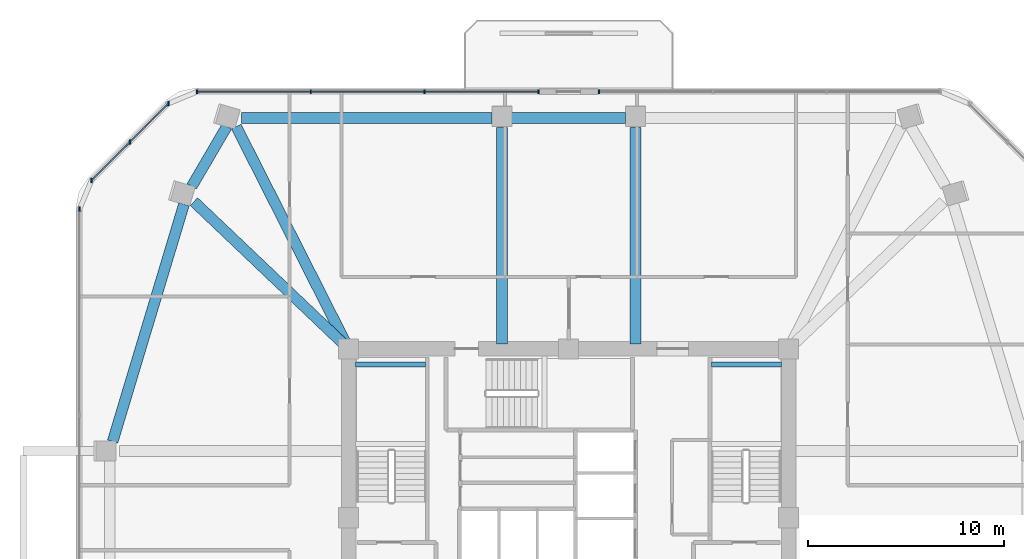
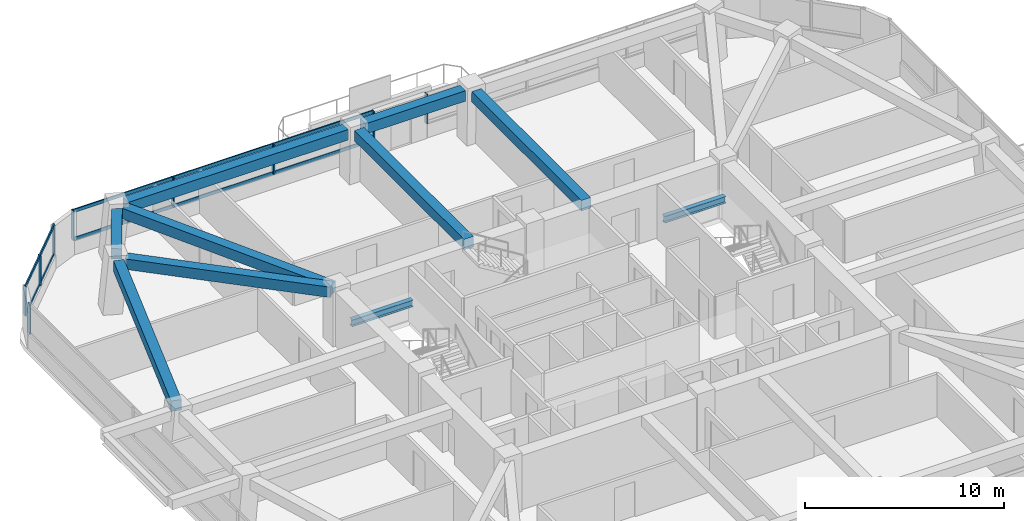
# One storey, part 6 of 13: 13 members, 10 beams, 4 elements without a shape of their own.
"""IFC4 building model written with IfcOpenShell, lengths in metres."""

from ifc_helpers import new_model, si_unit, derived_unit, direction, frame, origin, origin_2d, place, context, subcontext, project, spatial, rectangle, i_section, extrude, material, material_profile, profile_set, type_object, element, aggregate, save


model = new_model("IFC4")

# Units and contexts
model_context = context("Model", 3, precision=1e-05, world=origin(), true_north=direction((0.0, 1.0)))
body_context = subcontext(model_context, "Body", "Model", "MODEL_VIEW")
ifc_project = project(units=[si_unit("LENGTHUNIT", "METRE"), si_unit("AREAUNIT", "SQUARE_METRE"), si_unit("VOLUMEUNIT", "CUBIC_METRE"), si_unit("PLANEANGLEUNIT", "RADIAN"), si_unit("MASSUNIT", "GRAM", prefix="KILO"), derived_unit("THERMALTRANSMITTANCEUNIT", [(si_unit("POWERUNIT", "WATT"), 1), (si_unit("LENGTHUNIT", "METRE"), -2), (si_unit("THERMODYNAMICTEMPERATUREUNIT", "KELVIN"), -1)])], contexts=[model_context])

# Site, building, storey
site_placement = place(None, origin())
site = spatial("IfcSite", under=ifc_project, at=site_placement, CompositionType="ELEMENT")
building_placement = place(site_placement, origin())
building = spatial("IfcBuilding", under=site, at=building_placement, Name="Koralith Skygarden Medical Center", CompositionType="ELEMENT")
storey_placement = place(building_placement, frame((0.0, 0.0, 109.97998046875)))
storey = spatial("IfcBuildingStorey", under=building, at=storey_placement, Name="L28", CompositionType="ELEMENT", Elevation=109.97998046875)

# Curtain wall, member
ifc_material_1 = material(Name="Clear Laminated Glass", Category="glass")
curtain_wall_type = type_object("IfcCurtainWallType", Name="CW-3 Zone 2 Faceted Solar Curtain Wall", PredefinedType="NOTDEFINED", material=ifc_material_1)
curtain_wall_1_placement = place(storey_placement, origin())
curtain_wall_1 = element("IfcCurtainWall", 1, at=curtain_wall_1_placement, inside=storey, type_object=curtain_wall_type, Name="Curtain Wall CW-L28-N-L", PredefinedType="NOTDEFINED")
ifc_material_2 = material(Name="Aluminium 6063-T6", Category="aluminium")
ifc_material_profile_1 = material_profile(ifc_material_2, rectangle(XDim=0.073974609375, YDim=0.219970703125, at=origin_2d()), Name="MUL74X220")
ifc_profile_set_1 = profile_set([ifc_material_profile_1], Name="Aluminium 6063-T6")
member_type_1 = type_object("IfcMemberType", Name="CW-3 Extruded Mullion 74x220", PredefinedType="MULLION", material=ifc_profile_set_1)
member_1_placement = place(storey_placement, frame((38.541015625, 47.589111328125, 0.85009765625), z_axis=(0.0, 0.0, 1.0), x_axis=(1.0, 0.0, 0.0)))
member_1 = element("IfcMember", 2, at=member_1_placement, type_object=member_type_1, Name="CW-L28-N-L Mullion 4", PredefinedType="MULLION", context=body_context, shape_type="SweptSolid", body=[
    extrude(rectangle(XDim=0.073974609375, YDim=0.219970703125, at=origin_2d()), origin(), (0.0, 0.0, 1.0), 1.81982421875),
])
aggregate(curtain_wall_1, [member_1])

# Curtain wall, members
curtain_wall_2_placement = place(storey_placement, origin())
curtain_wall_2 = element("IfcCurtainWall", 3, at=curtain_wall_2_placement, inside=storey, type_object=curtain_wall_type, Name="Curtain Wall CW-L28-N-R", PredefinedType="NOTDEFINED")
member_2_placement = place(storey_placement, frame((35.4609375, 47.589111328125, 0.85009765625), z_axis=(0.0, 0.0, 1.0), x_axis=(1.0, 0.0, 0.0)))
member_2 = element("IfcMember", 4, at=member_2_placement, type_object=member_type_1, Name="CW-L28-N-R Mullion 1", PredefinedType="MULLION", context=body_context, shape_type="SweptSolid", body=[
    extrude(rectangle(XDim=0.073974609375, YDim=0.219970703125, at=origin_2d()), origin(), (0.0, 0.0, 1.0), 1.81982421875),
])
member_3_placement = place(storey_placement, frame((29.6640625, 47.589111328125, 0.85009765625), z_axis=(0.0, 0.0, 1.0), x_axis=(1.0, 0.0, 0.0)))
member_3 = element("IfcMember", 5, at=member_3_placement, type_object=member_type_1, Name="CW-L28-N-R Mullion 2", PredefinedType="MULLION", context=body_context, shape_type="SweptSolid", body=[
    extrude(rectangle(XDim=0.073974609375, YDim=0.219970703125, at=origin_2d()), origin(), (0.0, 0.0, 1.0), 1.81982421875),
])
member_4_placement = place(storey_placement, frame((23.865966796875, 47.589111328125, 0.85009765625), z_axis=(0.0, 0.0, 1.0), x_axis=(1.0, 0.0, 0.0)))
member_4 = element("IfcMember", 6, at=member_4_placement, type_object=member_type_1, Name="CW-L28-N-R Mullion 3", PredefinedType="MULLION", context=body_context, shape_type="SweptSolid", body=[
    extrude(rectangle(XDim=0.073974609375, YDim=0.219970703125, at=origin_2d()), origin(), (0.0, 0.0, 1.0), 1.81982421875),
])
member_5_placement = place(storey_placement, frame((18.069091796875, 47.589111328125, 0.85009765625), z_axis=(0.0, 0.0, 1.0), x_axis=(1.0, 0.0, 0.0)))
member_5 = element("IfcMember", 7, at=member_5_placement, type_object=member_type_1, Name="CW-L28-N-R Mullion 4", PredefinedType="MULLION", context=body_context, shape_type="SweptSolid", body=[
    extrude(rectangle(XDim=0.073974609375, YDim=0.219970703125, at=origin_2d()), origin(), (0.0, 0.0, 1.0), 1.81982421875),
])

curtain_wall_3_placement = place(storey_placement, origin())
curtain_wall_3 = element("IfcCurtainWall", 8, at=curtain_wall_3_placement, inside=storey, type_object=curtain_wall_type, Name="Curtain Wall CW-L28-NW", PredefinedType="NOTDEFINED")
member_6_placement = place(storey_placement, frame((16.617919921875, 46.988037109375, 0.85009765625), z_axis=(0.0, 0.0, 1.0), x_axis=(1.0, 0.0, 0.0)))
member_6 = element("IfcMember", 9, at=member_6_placement, type_object=member_type_1, Name="CW-L28-NW Mullion 1", PredefinedType="MULLION", context=body_context, shape_type="SweptSolid", body=[
    extrude(rectangle(XDim=0.073974609375, YDim=0.219970703125, at=origin_2d()), origin(), (0.0, 0.0, 1.0), 1.81982421875),
])
member_7_placement = place(storey_placement, frame((14.656005859375, 45.02587890625, 0.85009765625), z_axis=(0.0, 0.0, 1.0), x_axis=(1.0, 0.0, 0.0)))
member_7 = element("IfcMember", 10, at=member_7_placement, type_object=member_type_1, Name="CW-L28-NW Mullion 2", PredefinedType="MULLION", context=body_context, shape_type="SweptSolid", body=[
    extrude(rectangle(XDim=0.073974609375, YDim=0.219970703125, at=origin_2d()), origin(), (0.0, 0.0, 1.0), 1.81982421875),
])
member_8_placement = place(storey_placement, frame((12.695068359375, 43.06494140625, 0.85009765625), z_axis=(0.0, 0.0, 1.0), x_axis=(1.0, 0.0, 0.0)))
member_8 = element("IfcMember", 11, at=member_8_placement, type_object=member_type_1, Name="CW-L28-NW Mullion 3", PredefinedType="MULLION", context=body_context, shape_type="SweptSolid", body=[
    extrude(rectangle(XDim=0.073974609375, YDim=0.219970703125, at=origin_2d()), origin(), (0.0, 0.0, 1.0), 1.81982421875),
])

# Curtain wall, member
curtain_wall_4_placement = place(storey_placement, origin())
curtain_wall_4 = element("IfcCurtainWall", 12, at=curtain_wall_4_placement, inside=storey, type_object=curtain_wall_type, Name="Curtain Wall CW-L28-W", PredefinedType="NOTDEFINED")
member_9_placement = place(storey_placement, frame((12.093994140625, 41.614013671875, 0.85009765625), z_axis=(0.0, 0.0, 1.0), x_axis=(1.0, 0.0, 0.0)))
member_9 = element("IfcMember", 13, at=member_9_placement, type_object=member_type_1, Name="CW-L28-W Mullion 1", PredefinedType="MULLION", context=body_context, shape_type="SweptSolid", body=[
    extrude(rectangle(XDim=0.073974609375, YDim=0.219970703125, at=origin_2d()), origin(), (0.0, 0.0, 1.0), 1.81982421875),
])
aggregate(curtain_wall_4, [member_9])

# Member
ifc_material_profile_2 = material_profile(ifc_material_2, rectangle(XDim=0.069091796875, YDim=0.197998046875, at=origin_2d()), Name="TRN69X198")
ifc_profile_set_2 = profile_set([ifc_material_profile_2], Name="Aluminium 6063-T6")
member_type_2 = type_object("IfcMemberType", Name="CW-3 Thermal Transom 69x198", PredefinedType="USERDEFINED", material=ifc_profile_set_2)
member_10_placement = place(storey_placement, frame((35.4609375, 47.589111328125, 0.89990234375), z_axis=(-1.0, 0.0, 0.0), x_axis=(0.0, -1.0, 0.0)))
member_10 = element("IfcMember", 14, at=member_10_placement, type_object=member_type_2, Name="CW-L28-N-R Transom 1", ObjectType="TRANSOM", PredefinedType="USERDEFINED", context=body_context, shape_type="SweptSolid", body=[
    extrude(rectangle(XDim=0.069091796875, YDim=0.197998046875, at=origin_2d()), origin(), (0.0, 0.0, 1.0), 17.391845703125),
])

member_11_placement = place(storey_placement, frame((35.4609375, 47.589111328125, 2.6201171875), z_axis=(-1.0, 0.0, 0.0), x_axis=(0.0, -1.0, 0.0)))
member_11 = element("IfcMember", 15, at=member_11_placement, type_object=member_type_2, Name="CW-L28-N-R Transom 2", ObjectType="TRANSOM", PredefinedType="USERDEFINED", context=body_context, shape_type="SweptSolid", body=[
    extrude(rectangle(XDim=0.069091796875, YDim=0.197998046875, at=origin_2d()), origin(), (0.0, 0.0, 1.0), 17.391845703125),
])

aggregate(curtain_wall_2, [member_2, member_3, member_4, member_5, member_10, member_11])

member_12_placement = place(storey_placement, frame((16.617919921875, 46.988037109375, 0.89990234375), z_axis=(-0.707084777957, -0.707128783731, 0.0), x_axis=(0.707128783731, -0.707084777957, 0.0)))
member_12 = element("IfcMember", 16, at=member_12_placement, type_object=member_type_2, Name="CW-L28-NW Transom 1", ObjectType="TRANSOM", PredefinedType="USERDEFINED", context=body_context, shape_type="SweptSolid", body=[
    extrude(rectangle(XDim=0.069091796875, YDim=0.197998046875, at=origin_2d()), origin(), (0.0, 0.0, 1.0), 5.5478515625),
])

member_13_placement = place(storey_placement, frame((16.617919921875, 46.988037109375, 2.6201171875), z_axis=(-0.707084777957, -0.707128783731, 0.0), x_axis=(0.707128783731, -0.707084777957, 0.0)))
member_13 = element("IfcMember", 17, at=member_13_placement, type_object=member_type_2, Name="CW-L28-NW Transom 2", ObjectType="TRANSOM", PredefinedType="USERDEFINED", context=body_context, shape_type="SweptSolid", body=[
    extrude(rectangle(XDim=0.069091796875, YDim=0.197998046875, at=origin_2d()), origin(), (0.0, 0.0, 1.0), 5.5478515625),
])

aggregate(curtain_wall_3, [member_6, member_7, member_8, member_12, member_13])

# Beams
ifc_material_3 = material(Name="Steel ASTM A992 Grade 50", Category="steel")
ifc_material_profile_3 = material_profile(ifc_material_3, i_section(OverallWidth=0.260009765625, OverallDepth=0.4150390625, WebThickness=0.010009765625, FlangeThickness=0.016845703125, at=origin_2d()), Name="W16X67")
ifc_profile_set_3 = profile_set([ifc_material_profile_3], Name="Steel ASTM A992 Grade 50")
beam_type_1 = type_object("IfcBeamType", Name="Clinical Floor Joist W16X67", PredefinedType="JOIST", material=ifc_profile_set_3)
for number, where, z_axis, x_axis, name in (
    (18, (26.155029296875, 33.699951171875, 1.39306640625), (1.0, 0.0, 0.0), (0.0, 1.0, 0.0), "L28 Stair ST1 Half-Landing Support Beam 1B"),
    (19, (44.280029296875, 33.699951171875, 1.39306640625), (1.0, 0.0, 0.0), (0.0, 1.0, 0.0), "L28 Stair ST2 Half-Landing Support Beam 1B"),
):
    element("IfcBeam", number, at=place(storey_placement, frame(where, z_axis=z_axis, x_axis=x_axis)), inside=storey, type_object=beam_type_1, Name=name, PredefinedType="JOIST", context=body_context, shape_type="SweptSolid", body=[
        extrude(i_section(OverallWidth=0.260009765625, OverallDepth=0.4150390625, WebThickness=0.010009765625, FlangeThickness=0.016845703125, at=origin_2d()), origin(), (0.0, 0.0, 1.0), 3.56494140625),
    ])
ifc_material_4 = material(Name="Concrete C45/55", Category="concrete")
ifc_material_profile_4 = material_profile(ifc_material_4, rectangle(XDim=0.550048828125, YDim=0.639892578125, at=origin_2d()), Name="RCB550X640")
ifc_profile_set_4 = profile_set([ifc_material_profile_4], Name="Concrete C45/55")
beam_type_2 = type_object("IfcBeamType", Name="Radial Collector Beam RCB550X640", PredefinedType="BEAM", material=ifc_profile_set_4)
for number, where, z_axis, x_axis, name in (
    (20, (40.39990234375, 34.75, 3.0), (0.0, 1.0, 0.0), (-1.0, 0.0, 0.0), "L28 Radial Collector Beam RB-12"),
    (21, (33.60009765625, 34.75, 3.0), (0.0, 1.0, 0.0), (-1.0, 0.0, 0.0), "L28 Radial Collector Beam RB-13"),
):
    element("IfcBeam", number, at=place(storey_placement, frame(where, z_axis=z_axis, x_axis=x_axis)), inside=storey, type_object=beam_type_2, Name=name, PredefinedType="BEAM", context=body_context, shape_type="SweptSolid", body=[
        extrude(rectangle(XDim=0.550048828125, YDim=0.639892578125, at=origin_2d()), origin(), (0.0, 0.0, 1.0), 11.010986328125),
    ])
beam_1_placement = place(storey_placement, frame((25.68701171875, 34.722900390625, 3.0), z_axis=(-0.451521129516, 0.892260427006, 0.0), x_axis=(-0.892260427006, -0.451521129516, 0.0)))
element("IfcBeam", 22, at=beam_1_placement, inside=storey, type_object=beam_type_2, Name="L28 Radial Collector Beam RB-14", PredefinedType="BEAM", context=body_context, shape_type="SweptSolid", body=[
    extrude(rectangle(XDim=0.550048828125, YDim=0.639892578125, at=origin_2d()), origin(), (0.0, 0.0, 1.0), 12.431396484375),
])
beam_2_placement = place(storey_placement, frame((25.618896484375, 34.672119140625, 3.0), z_axis=(-0.724664943916, 0.689101385181, 0.0), x_axis=(-0.689101385181, -0.724664943916, 0.0)))
element("IfcBeam", 23, at=beam_2_placement, inside=storey, type_object=beam_type_2, Name="L28 Radial Collector Beam RB-15", PredefinedType="BEAM", context=body_context, shape_type="SweptSolid", body=[
    extrude(rectangle(XDim=0.550048828125, YDim=0.639892578125, at=origin_2d()), origin(), (0.0, 0.0, 1.0), 10.626953125),
])
ifc_material_profile_5 = material_profile(ifc_material_4, rectangle(XDim=0.550048828125, YDim=0.639892578125, at=origin_2d()), Name="RCB550X640")
ifc_profile_set_5 = profile_set([ifc_material_profile_5], Name="Concrete C45/55")
beam_type_3 = type_object("IfcBeamType", Name="Zone 2-3 Spandrel Beam RCB550X640", PredefinedType="SPANDREL", material=ifc_profile_set_5)
beam_3_placement = place(storey_placement, frame((39.89990234375, 46.260986328125, 3.0), z_axis=(-1.0, 0.0, 0.0), x_axis=(0.0, -1.0, 0.0)))
element("IfcBeam", 24, at=beam_3_placement, inside=storey, type_object=beam_type_3, Name="L28 Perimeter Spandrel Beam SP-12", PredefinedType="SPANDREL", context=body_context, shape_type="SweptSolid", body=[
    extrude(rectangle(XDim=0.550048828125, YDim=0.639892578125, at=origin_2d()), origin(), (0.0, 0.0, 1.0), 5.7998046875),
])
beam_4_placement = place(storey_placement, frame((33.10009765625, 46.260986328125, 3.0), z_axis=(-1.0, 0.0, 0.0), x_axis=(0.0, -1.0, 0.0)))
element("IfcBeam", 25, at=beam_4_placement, inside=storey, type_object=beam_type_3, Name="L28 Perimeter Spandrel Beam SP-13", PredefinedType="SPANDREL", context=body_context, shape_type="SweptSolid", body=[
    extrude(rectangle(XDim=0.550048828125, YDim=0.639892578125, at=origin_2d()), origin(), (0.0, 0.0, 1.0), 12.752197265625),
])
beam_5_placement = place(storey_placement, frame((19.595947265625, 45.8291015625, 3.0), z_axis=(-0.504822258312, -0.863223312656, 0.0), x_axis=(0.863223312656, -0.504822258312, 0.0)))
element("IfcBeam", 26, at=beam_5_placement, inside=storey, type_object=beam_type_3, Name="L28 Perimeter Spandrel Beam SP-14", PredefinedType="SPANDREL", context=body_context, shape_type="SweptSolid", body=[
    extrude(rectangle(XDim=0.550048828125, YDim=0.639892578125, at=origin_2d()), origin(), (0.0, 0.0, 1.0), 3.54150390625),
])
beam_6_placement = place(storey_placement, frame((17.412109375, 41.861083984375, 3.0), z_axis=(-0.287891099441, -0.95766315313, 0.0), x_axis=(0.95766315313, -0.287891099441, 0.0)))
element("IfcBeam", 27, at=beam_6_placement, inside=storey, type_object=beam_type_3, Name="L28 Perimeter Spandrel Beam SP-15", PredefinedType="SPANDREL", context=body_context, shape_type="SweptSolid", body=[
    extrude(rectangle(XDim=0.550048828125, YDim=0.639892578125, at=origin_2d()), origin(), (0.0, 0.0, 1.0), 12.6162109375),
])

save(model, "model.ifc")
